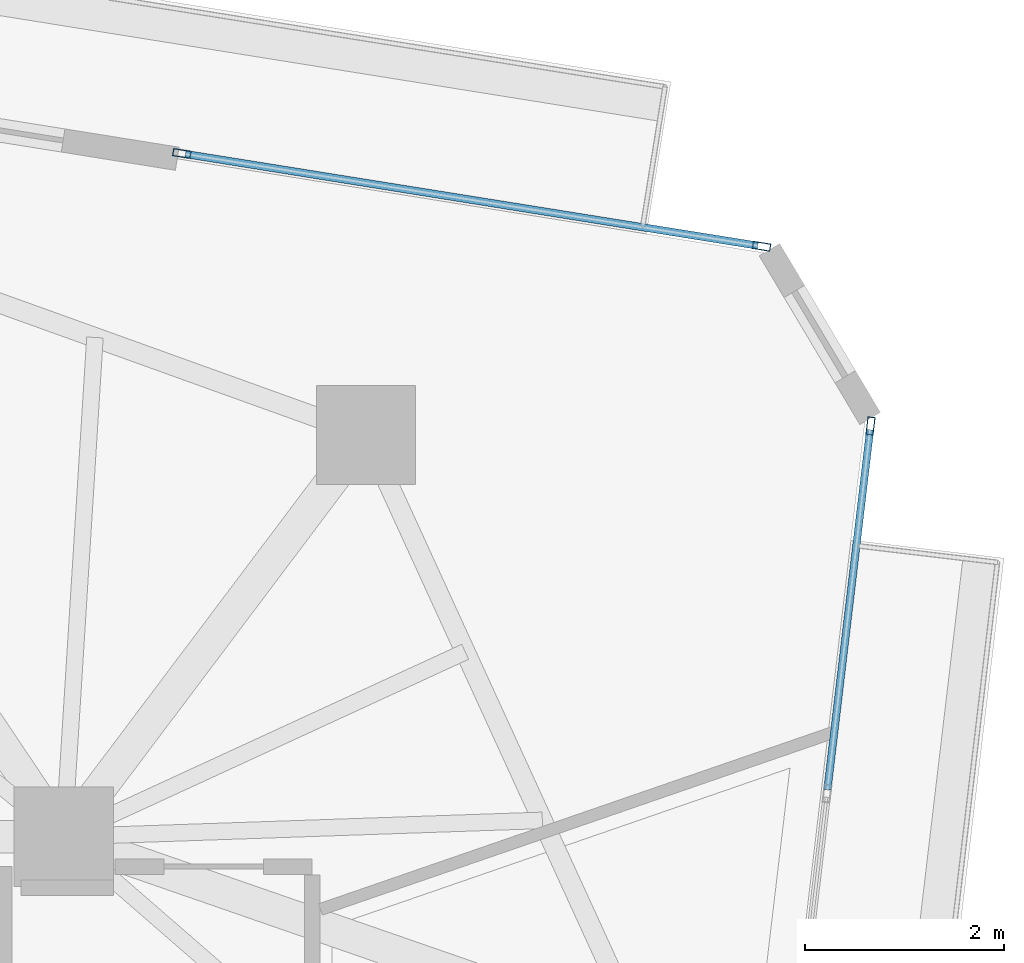
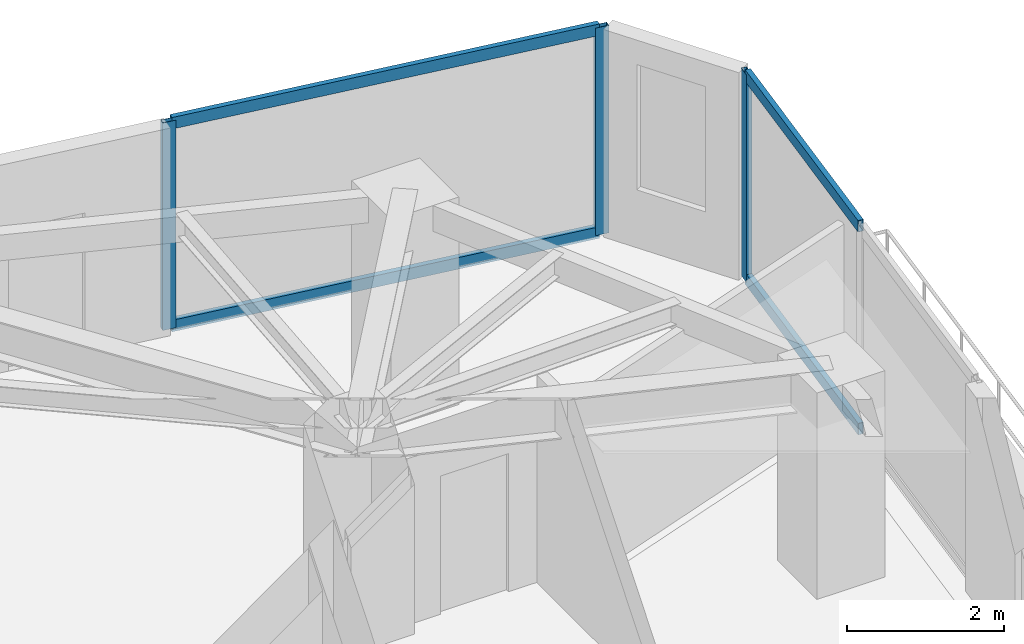
# One storey, part 16 of 22: 7 members, 2 elements without a shape of their own.
"""IFC4 building model written with IfcOpenShell, lengths in metres."""

from ifc_helpers import new_model, si_unit, direction, frame, origin, origin_2d, place, context, subcontext, project, spatial, hollow_rectangle, extrude, source, transform, mapped, material, layer, layer_set, material_profile, profile_set, type_object, type_shapes, element, aggregate, save


model = new_model("IFC4")

# Units and contexts
model_context = context("Model", 3, precision=1e-05, world=origin(), true_north=direction((0.0, 1.0)))
body_context = subcontext(model_context, "Body", "Model", "MODEL_VIEW")
ifc_project = project(units=[si_unit("LENGTHUNIT", "METRE"), si_unit("AREAUNIT", "SQUARE_METRE"), si_unit("VOLUMEUNIT", "CUBIC_METRE"), si_unit("PLANEANGLEUNIT", "RADIAN"), si_unit("MASSUNIT", "GRAM", prefix="KILO")], contexts=[model_context])

# Site, building, storey
site_placement = place(None, origin())
site = spatial("IfcSite", under=ifc_project, at=site_placement, CompositionType="ELEMENT")
building_placement = place(site_placement, origin())
building = spatial("IfcBuilding", under=site, at=building_placement, Name="Talar Marvaseh", CompositionType="ELEMENT")
storey_placement = place(building_placement, frame((0.0, 0.0, 229.199951171875)))
storey = spatial("IfcBuildingStorey", under=building, at=storey_placement, Name="L60", CompositionType="ELEMENT", Elevation=229.199951171875)

# Curtain wall, members
ifc_material = material(Name="Architectural Aluminium", Category="aluminium")
ifc_layer = layer(ifc_material, 0.18994140625)
ifc_layer_set = layer_set([ifc_layer], Name="Architectural Aluminium")
curtain_wall_type = type_object("IfcCurtainWallType", Name="Unitised Solar Atelier Curtain Wall Z3", PredefinedType="NOTDEFINED", material=ifc_layer_set)
curtain_wall_1_placement = place(storey_placement, origin())
curtain_wall_1 = element("IfcCurtainWall", 1, at=curtain_wall_1_placement, inside=storey, type_object=curtain_wall_type, Name="L60 Unitised Solar Atelier Curtain Wall Z3", PredefinedType="NOTDEFINED")
ifc_material_profile_1 = material_profile(ifc_material, hollow_rectangle(XDim=0.074951171875, YDim=0.179931640625, WallThickness=0.0048828125, at=origin_2d()), Name="RHS180x75x5")
ifc_profile_set_1 = profile_set([ifc_material_profile_1], Name="Architectural Aluminium")
member_type_1 = type_object("IfcMemberType", Name="Unitised Curtain Wall Standard Mullion RHS180x75x5", PredefinedType="MULLION", material=ifc_profile_set_1)
shared_shape_1 = source(origin(), body_context, "Body", "SweptSolid", [
    extrude(hollow_rectangle(XDim=0.074951171875, YDim=0.179931640625, WallThickness=0.0048828125, at=origin_2d()), origin(), (0.0, 0.0, 1.0), 3.22998046875),
])
type_shapes(member_type_1, [shared_shape_1])
member_1_placement = place(storey_placement, frame((34.488037109375, 43.774658203125, 0.0), z_axis=(0.0, 0.0, 1.0), x_axis=(0.15808503423, 0.987425501976, 0.0)))
member_1 = element("IfcMember", 2, at=member_1_placement, type_object=member_type_1, Name="CW-Z3 mullion 1", PredefinedType="MULLION", context=body_context, shape_type="MappedRepresentation", body=[
    mapped(shared_shape_1, transform((0.0, 0.0, 0.0), x_axis=(1.0, 0.0, 0.0), y_axis=(0.0, 1.0, 0.0), z_axis=(0.0, 0.0, 1.0), scale=1.0)),
])
member_2_placement = place(storey_placement, frame((40.321044921875, 42.8408203125, 0.0), z_axis=(0.0, 0.0, 1.0), x_axis=(0.15808503423, 0.987425501976, 0.0)))
member_2 = element("IfcMember", 3, at=member_2_placement, type_object=member_type_1, Name="CW-Z3 mullion 2", PredefinedType="MULLION", context=body_context, shape_type="MappedRepresentation", body=[
    mapped(shared_shape_1, transform((0.0, 0.0, 0.0), x_axis=(1.0, 0.0, 0.0), y_axis=(0.0, 1.0, 0.0), z_axis=(0.0, 0.0, 1.0), scale=1.0)),
])

# Curtain wall, member
curtain_wall_2_placement = place(storey_placement, origin())
curtain_wall_2 = element("IfcCurtainWall", 4, at=curtain_wall_2_placement, inside=storey, type_object=curtain_wall_type, Name="L60 Unitised Solar Atelier Curtain Wall Z3", PredefinedType="NOTDEFINED")
member_3_placement = place(storey_placement, frame((41.4169921875, 41.032958984375, 0.0), z_axis=(0.0, 0.0, 1.0), x_axis=(0.993050517361, -0.117688869355, 0.0)))
member_3 = element("IfcMember", 5, at=member_3_placement, type_object=member_type_1, Name="CW-Z3 mullion 1", PredefinedType="MULLION", context=body_context, shape_type="MappedRepresentation", body=[
    mapped(shared_shape_1, transform((0.0, 0.0, 0.0), x_axis=(1.0, 0.0, 0.0), y_axis=(0.0, 1.0, 0.0), z_axis=(0.0, 0.0, 1.0), scale=1.0)),
])

# Member
ifc_material_profile_2 = material_profile(ifc_material, hollow_rectangle(XDim=0.074951171875, YDim=0.179931640625, WallThickness=0.0048828125, at=origin_2d()), Name="RHS180x75x5")
ifc_profile_set_2 = profile_set([ifc_material_profile_2], Name="Architectural Aluminium")
member_type_2 = type_object("IfcMemberType", Name="Unitised Curtain Wall Transom RHS180x75x5", PredefinedType="USERDEFINED", material=ifc_profile_set_2)
shared_shape_2 = source(origin(), body_context, "Body", "SweptSolid", [
    extrude(hollow_rectangle(XDim=0.074951171875, YDim=0.179931640625, WallThickness=0.0048828125, at=origin_2d()), origin(), (0.0, 0.0, 1.0), 5.83203125),
])
member_4_placement = place(storey_placement, frame((34.525146484375, 43.7685546875, 0.03759765625), z_axis=(0.987428089961, -0.158068868395, 0.0), x_axis=(0.158068868395, 0.987428089961, 0.0)))
member_4 = element("IfcMember", 6, at=member_4_placement, type_object=member_type_2, Name="CW-Z3 transom 1.1", ObjectType="TRANSOM", PredefinedType="USERDEFINED", context=body_context, shape_type="MappedRepresentation", body=[
    mapped(shared_shape_2, transform((0.0, 0.0, 0.0), x_axis=(1.0, 0.0, 0.0), y_axis=(0.0, 1.0, 0.0), z_axis=(0.0, 0.0, 1.0), scale=1.0)),
])

member_5_placement = place(storey_placement, frame((34.525146484375, 43.7685546875, 3.192626953125), z_axis=(0.987428089961, -0.158068868395, 0.0), x_axis=(0.158068868395, 0.987428089961, 0.0)))
member_5 = element("IfcMember", 7, at=member_5_placement, type_object=member_type_2, Name="CW-Z3 transom 1.2", ObjectType="TRANSOM", PredefinedType="USERDEFINED", context=body_context, shape_type="MappedRepresentation", body=[
    mapped(shared_shape_2, transform((0.0, 0.0, 0.0), x_axis=(1.0, 0.0, 0.0), y_axis=(0.0, 1.0, 0.0), z_axis=(0.0, 0.0, 1.0), scale=1.0)),
])

aggregate(curtain_wall_1, [member_1, member_2, member_4, member_5])

shared_shape_3 = source(origin(), body_context, "Body", "SweptSolid", [
    extrude(hollow_rectangle(XDim=0.074951171875, YDim=0.179931640625, WallThickness=0.0048828125, at=origin_2d()), origin(), (0.0, 0.0, 1.0), 3.648681640625),
])
type_shapes(member_type_2, [shared_shape_2, shared_shape_3])
member_6_placement = place(storey_placement, frame((41.41259765625, 40.99560546875, 0.03759765625), z_axis=(-0.117699191972, -0.993049293947, 0.0), x_axis=(0.993049293947, -0.117699191972, 0.0)))
member_6 = element("IfcMember", 8, at=member_6_placement, type_object=member_type_2, Name="CW-Z3 transom 1.1", ObjectType="TRANSOM", PredefinedType="USERDEFINED", context=body_context, shape_type="MappedRepresentation", body=[
    mapped(shared_shape_3, transform((0.0, 0.0, 0.0), x_axis=(1.0, 0.0, 0.0), y_axis=(0.0, 1.0, 0.0), z_axis=(0.0, 0.0, 1.0), scale=1.0)),
])

member_7_placement = place(storey_placement, frame((41.41259765625, 40.99560546875, 3.192626953125), z_axis=(-0.117699191972, -0.993049293947, 0.0), x_axis=(0.993049293947, -0.117699191972, 0.0)))
member_7 = element("IfcMember", 9, at=member_7_placement, type_object=member_type_2, Name="CW-Z3 transom 1.2", ObjectType="TRANSOM", PredefinedType="USERDEFINED", context=body_context, shape_type="MappedRepresentation", body=[
    mapped(shared_shape_3, transform((0.0, 0.0, 0.0), x_axis=(1.0, 0.0, 0.0), y_axis=(0.0, 1.0, 0.0), z_axis=(0.0, 0.0, 1.0), scale=1.0)),
])

aggregate(curtain_wall_2, [member_3, member_6, member_7])

save(model, "model.ifc")
